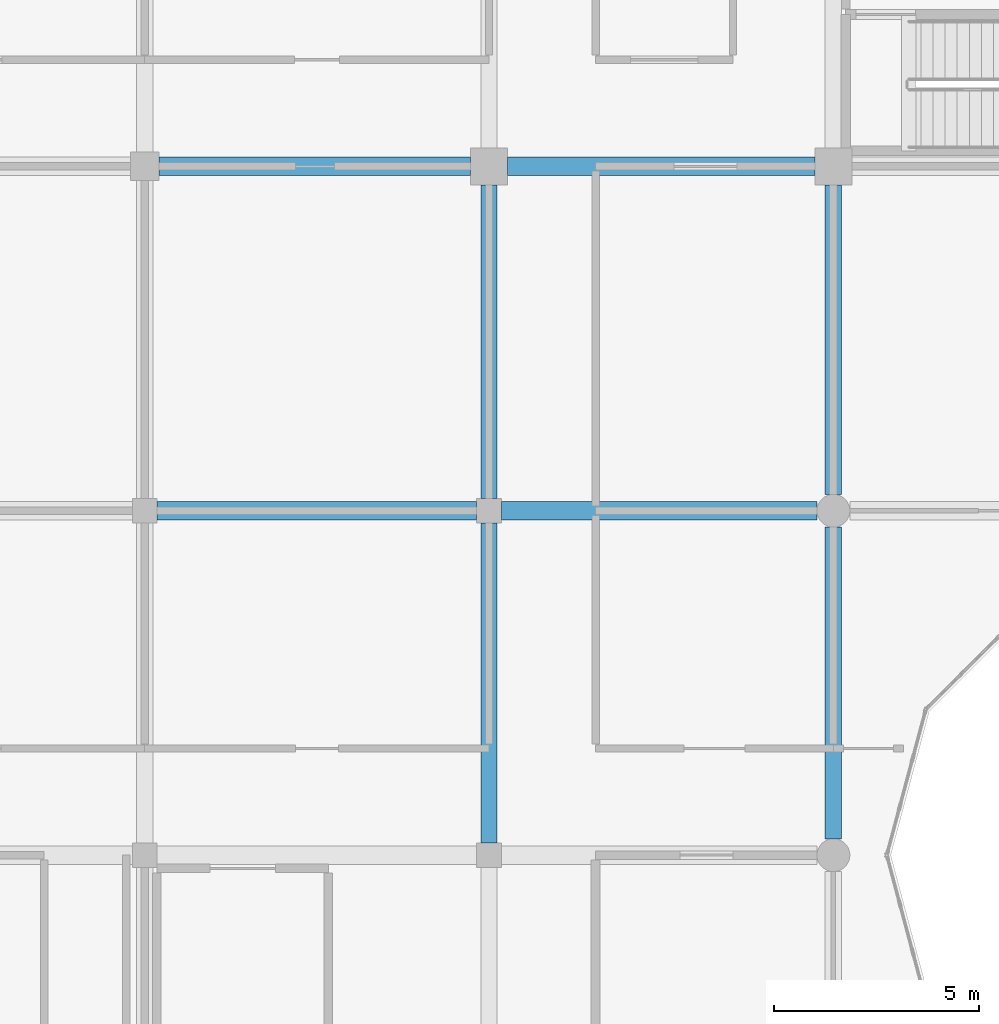
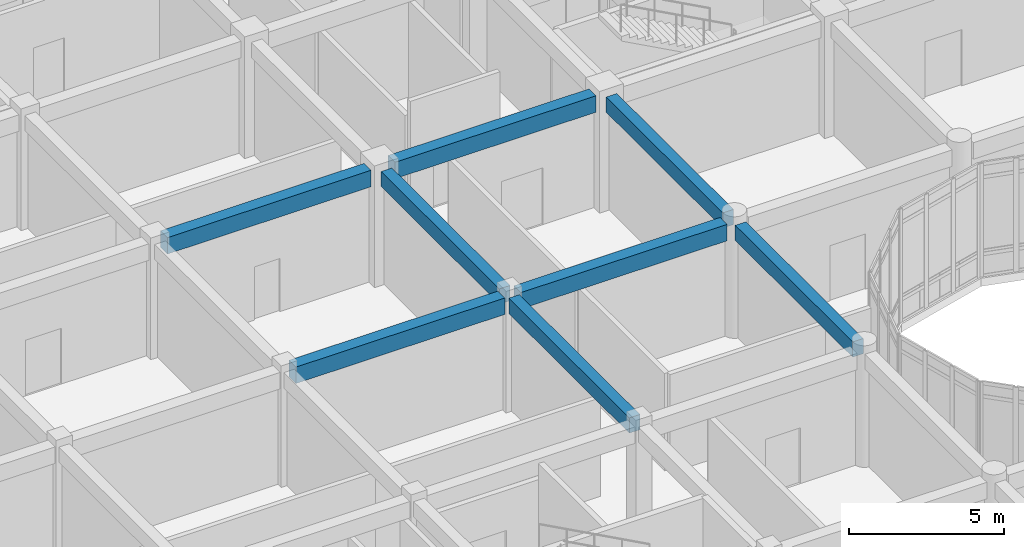
# One storey, part 38 of 138: 8 beams.
"""IFC4 building model written with IfcOpenShell, lengths in metres."""

import ifcopenshell
import ifcopenshell.guid

model = None  # the IFC model being written
_history = None  # IfcOwnerHistory: only IFC2X3 demands one
_inside = {}  # id of a spatial element -> (the spatial element, [elements in it])
_under = {}  # id of a project, library or spatial element -> (it, [spatial elements below it])
_declared = {}  # id of a project -> (the project, [libraries it declares])
_typed = {}  # id of a type object -> (the type object, [elements of that type])
_made_of = {}  # id of a material, layer set ... -> (it, [elements and type objects made of it])


def new_model(schema):
    """Start an empty IFC model of exactly this schema.

    Asked for "IFC4X3", IfcOpenShell would pick the latest addendum, in which some entities
    have other attributes; the version numbers below select the first issue.
    IFC2X3 requires an IfcOwnerHistory on every rooted entity: one is made here for all.
    """
    global model, _history
    if schema == "IFC4X3":
        model = ifcopenshell.file(schema_version=(4, 3, 0, 0))
    else:
        model = ifcopenshell.file(schema=schema)
    _inside.clear()
    _under.clear()
    _declared.clear()
    _typed.clear()
    _made_of.clear()
    _history = None
    if model.schema == "IFC2X3":
        org = make("IfcOrganization", Name="unknown")
        user = make(
            "IfcPersonAndOrganization",
            ThePerson=make("IfcPerson", FamilyName="unknown"),
            TheOrganization=org,
        )
        app = make(
            "IfcApplication",
            ApplicationDeveloper=org,
            Version="unknown",
            ApplicationFullName="unknown",
            ApplicationIdentifier="unknown",
        )
        _history = make(
            "IfcOwnerHistory",
            OwningUser=user,
            OwningApplication=app,
            ChangeAction="ADDED",
            CreationDate=0,
        )
    return model


def make(cls, **values):
    """One entity of the class cls with the attributes given. An attribute that is None is left unset."""
    return model.create_entity(
        cls, **{name: value for name, value in values.items() if value is not None}
    )


def rooted(cls, **values):
    """An entity with a GlobalId (a new one), such as an element, a storey or a relation."""
    return make(cls, GlobalId=ifcopenshell.guid.new(), OwnerHistory=_history, **values)


def si_unit(unit_type, name, prefix=None):
    """IfcSIUnit, for example si_unit("LENGTHUNIT", "METRE", prefix="MILLI")."""
    return make("IfcSIUnit", UnitType=unit_type, Prefix=prefix, Name=name)


def assignment(units):
    """IfcUnitAssignment: the units of a project."""
    return None if units is None else make("IfcUnitAssignment", Units=units)


def point(xyz):
    """IfcCartesianPoint."""
    return None if xyz is None else make("IfcCartesianPoint", Coordinates=xyz)


def direction(xyz):
    """IfcDirection."""
    return None if xyz is None else make("IfcDirection", DirectionRatios=xyz)


def frame(location, z_axis=None, x_axis=None):
    """IfcAxis2Placement3D, a coordinate frame: its origin and axes. An axis left out is left unset."""
    return make(
        "IfcAxis2Placement3D",
        Location=point(location),
        Axis=direction(z_axis),
        RefDirection=direction(x_axis),
    )


def frame_2d(location, x_axis=None):
    """IfcAxis2Placement2D, a coordinate frame in the plane: its origin and x axis."""
    return make(
        "IfcAxis2Placement2D", Location=point(location), RefDirection=direction(x_axis)
    )


def origin():
    """The frame at (0, 0, 0) with its axes left unset."""
    return frame((0.0, 0.0, 0.0))


def origin_2d():
    """The frame at (0, 0) in the plane with its x axis left unset."""
    return frame_2d((0.0, 0.0))


def place(relative_to, where):
    """IfcLocalPlacement: puts the frame where relative to a parent placement (None: the world)."""
    return make(
        "IfcLocalPlacement", PlacementRelTo=relative_to, RelativePlacement=where
    )


def context(
    kind, dimensions, precision=None, world=None, true_north=None, identifier=None
):
    """IfcGeometricRepresentationContext, for example the 3D "Model" context."""
    return make(
        "IfcGeometricRepresentationContext",
        ContextIdentifier=identifier,
        ContextType=kind,
        CoordinateSpaceDimension=dimensions,
        Precision=precision,
        WorldCoordinateSystem=world,
        TrueNorth=true_north,
    )


def subcontext(parent, identifier, kind, view, scale=None):
    """IfcGeometricRepresentationSubContext, for example "Body" below "Model"."""
    return make(
        "IfcGeometricRepresentationSubContext",
        ContextIdentifier=identifier,
        ContextType=kind,
        ParentContext=parent,
        TargetScale=scale,
        TargetView=view,
    )


def project(units=None, contexts=None):
    """IfcProject with its units and contexts."""
    return rooted(
        "IfcProject",
        Name="project",
        RepresentationContexts=contexts,
        UnitsInContext=assignment(units),
    )


def spatial(cls, under=None, at=None, **own):
    """A site, building, storey or space (cls), placed at a placement, below another one or the project."""
    s = rooted(cls, ObjectPlacement=at, **own)
    if under is not None:
        _under.setdefault(under.id(), (under, []))[1].append(s)
    return s


def profile(cls, at=None, kind="AREA", **sizes):
    """A parametric profile (cls). Its sizes go by their IFC names, for example OverallWidth=200.0."""
    return make(cls, ProfileType=kind, Position=at, **sizes)


def rectangle(**sizes):
    """IfcRectangleProfileDef."""
    return profile("IfcRectangleProfileDef", **sizes)


def extrude(swept, where, along, depth):
    """IfcExtrudedAreaSolid: the profile swept, set in the frame where, extruded along a direction by depth."""
    return make(
        "IfcExtrudedAreaSolid",
        SweptArea=swept,
        Position=where,
        ExtrudedDirection=direction(along),
        Depth=depth,
    )


def shape(context_of_items, identifier, shape_type, items):
    """IfcShapeRepresentation: the items that make up one representation, for example the "Body"."""
    return make(
        "IfcShapeRepresentation",
        ContextOfItems=context_of_items,
        RepresentationIdentifier=identifier,
        RepresentationType=shape_type,
        Items=items,
    )


def material(Name=None, Category=None):
    """IfcMaterial."""
    return make("IfcMaterial", Name=Name, Category=Category)


def material_profile(
    of_material, cross_section, Name=None, Category=None, Priority=None
):
    """IfcMaterialProfile: a cross section and its material."""
    return make(
        "IfcMaterialProfile",
        Name=Name,
        Material=of_material,
        Profile=cross_section,
        Priority=Priority,
        Category=Category,
    )


def profile_set(profiles, Name=None, composite=None):
    """IfcMaterialProfileSet."""
    return make(
        "IfcMaterialProfileSet",
        Name=Name,
        MaterialProfiles=profiles,
        CompositeProfile=composite,
    )


def made_of(thing, what):
    """Note that an element or type object is made of a material, layer set ...; save() writes the relation."""
    if what is not None:
        _made_of.setdefault(what.id(), (what, []))[1].append(thing)
    return thing


def type_object(cls, material=None, **own):
    """A type object (cls), such as IfcWallType, which elements share."""
    return made_of(rooted(cls, **own), material)


def element(
    cls,
    number,
    at=None,
    inside=None,
    cuts=None,
    type_object=None,
    material=None,
    context=None,
    identifier="Body",
    shape_type=None,
    held_by="IfcProductDefinitionShape",
    body=None,
    shapes=None,
    **own,
):
    """One element of the class cls, such as IfcWall. Its Tag is "e" and its number.

    at: its placement. inside: the storey or other place that contains it. cuts: it is an
    opening in that element (IfcRelVoidsElement). A single representation is given by context,
    identifier, shape_type and body (its items); several are given by shapes. held_by: the class
    of the entity that holds the representations. save() writes the other relations.
    """
    e = rooted(cls, Tag="e%d" % number, ObjectPlacement=at, **own)
    if body is not None:
        shapes = [shape(context, identifier, shape_type, body)]
    if shapes is not None:
        e.Representation = make(held_by, Representations=shapes)
    if inside is not None:
        _inside.setdefault(inside.id(), (inside, []))[1].append(e)
    if cuts is not None:
        rooted(
            "IfcRelVoidsElement", RelatingBuildingElement=cuts, RelatedOpeningElement=e
        )
    if type_object is not None:
        _typed.setdefault(type_object.id(), (type_object, []))[1].append(e)
    return made_of(e, material)


def aggregate(whole, parts):
    """IfcRelAggregates: a whole, such as a stair, and the parts it consists of."""
    return rooted("IfcRelAggregates", RelatingObject=whole, RelatedObjects=parts)


def save(model, path):
    """Write the relations noted so far, then the file.

    IfcRelAggregates (storeys below a building ...), IfcRelContainedInSpatialStructure (elements
    in a storey), IfcRelDefinesByType, IfcRelAssociatesMaterial and IfcRelDeclares: one each for
    every whole, place, type object, material and project.
    """
    for whole, parts in _under.values():
        aggregate(whole, parts)
    for where, things in _inside.values():
        rooted(
            "IfcRelContainedInSpatialStructure",
            RelatedElements=things,
            RelatingStructure=where,
        )
    for kind, things in _typed.values():
        rooted("IfcRelDefinesByType", RelatedObjects=things, RelatingType=kind)
    for what, things in _made_of.values():
        rooted("IfcRelAssociatesMaterial", RelatedObjects=things, RelatingMaterial=what)
    for by, libraries in _declared.values():
        rooted("IfcRelDeclares", RelatingContext=by, RelatedDefinitions=libraries)
    model.write(path)


model = new_model("IFC4")

# Units and contexts
model_context = context("Model", 3, precision=1e-05, world=origin(), true_north=direction((0.0, 1.0)))
body_context = subcontext(model_context, "Body", "Model", "MODEL_VIEW")
ifc_project = project(units=[si_unit("LENGTHUNIT", "METRE"), si_unit("AREAUNIT", "SQUARE_METRE"), si_unit("VOLUMEUNIT", "CUBIC_METRE"), si_unit("PLANEANGLEUNIT", "RADIAN"), si_unit("MASSUNIT", "GRAM", prefix="KILO")], contexts=[model_context])

# Site, building, storey
site_placement = place(None, origin())
site = spatial("IfcSite", under=ifc_project, at=site_placement, CompositionType="ELEMENT")
building_placement = place(site_placement, origin())
building = spatial("IfcBuilding", under=site, at=building_placement, Name="Bramfleet General Hospital", CompositionType="ELEMENT")
storey_placement = place(building_placement, origin())
storey = spatial("IfcBuildingStorey", under=building, at=storey_placement, Name="L00", CompositionType="ELEMENT", Elevation=0.0)

# Beams
ifc_material = material(Name="Concrete C35/45", Category="concrete")
ifc_material_profile_1 = material_profile(ifc_material, rectangle(XDim=0.39990234375, YDim=0.60009765625, at=origin_2d()), Name="RC BM 600x400")
ifc_profile_set_1 = profile_set([ifc_material_profile_1], Name="Concrete C35/45")
beam_type_1 = type_object("IfcBeamType", Name="BM-RC600", PredefinedType="BEAM", material=ifc_profile_set_1)
beam_1_placement = place(storey_placement, frame((67.199951171875, 75.89990234375, 4.199951171875), z_axis=(0.0, 1.0, 0.0), x_axis=(-1.0, 0.0, 0.0)))
element("IfcBeam", 1, at=beam_1_placement, inside=storey, type_object=beam_type_1, Name="L00 Grid Beam Y 08-09", PredefinedType="BEAM", context=body_context, shape_type="SweptSolid", body=[
    extrude(rectangle(XDim=0.39990234375, YDim=0.60009765625, at=origin_2d()), origin(), (0.0, 0.0, 1.0), 7.800048828125),
])
beam_2_placement = place(storey_placement, frame((67.199951171875, 84.300048828125, 4.199951171875), z_axis=(0.0, 1.0, 0.0), x_axis=(-1.0, 0.0, 0.0)))
element("IfcBeam", 2, at=beam_2_placement, inside=storey, type_object=beam_type_1, Name="L00 Grid Beam Y 08-10", PredefinedType="BEAM", context=body_context, shape_type="SweptSolid", body=[
    extrude(rectangle(XDim=0.39990234375, YDim=0.60009765625, at=origin_2d()), origin(), (0.0, 0.0, 1.0), 7.64990234375),
])
beam_3_placement = place(storey_placement, frame((75.60009765625, 76.0, 4.199951171875), z_axis=(0.0, 1.0, 0.0), x_axis=(-1.0, 0.0, 0.0)))
element("IfcBeam", 3, at=beam_3_placement, inside=storey, type_object=beam_type_1, Name="L00 Grid Beam Y 09-09", PredefinedType="BEAM", context=body_context, shape_type="SweptSolid", body=[
    extrude(rectangle(XDim=0.39990234375, YDim=0.60009765625, at=origin_2d()), origin(), (0.0, 0.0, 1.0), 7.60009765625),
])
beam_4_placement = place(storey_placement, frame((75.60009765625, 84.39990234375, 4.199951171875), z_axis=(0.0, 1.0, 0.0), x_axis=(-1.0, 0.0, 0.0)))
element("IfcBeam", 4, at=beam_4_placement, inside=storey, type_object=beam_type_1, Name="L00 Grid Beam Y 09-10", PredefinedType="BEAM", context=body_context, shape_type="SweptSolid", body=[
    extrude(rectangle(XDim=0.39990234375, YDim=0.60009765625, at=origin_2d()), origin(), (0.0, 0.0, 1.0), 7.550048828125),
])
ifc_material_profile_2 = material_profile(ifc_material, rectangle(XDim=0.449951171875, YDim=0.64990234375, at=origin_2d()), Name="RC BM 650x450")
ifc_profile_set_2 = profile_set([ifc_material_profile_2], Name="Concrete C35/45")
beam_type_2 = type_object("IfcBeamType", Name="BM-RC650", PredefinedType="BEAM", material=ifc_profile_set_2)
beam_5_placement = place(storey_placement, frame((59.10009765625, 84.0, 4.175048828125), z_axis=(1.0, 0.0, 0.0), x_axis=(0.0, 1.0, 0.0)))
element("IfcBeam", 5, at=beam_5_placement, inside=storey, type_object=beam_type_2, Name="L00 Grid Beam X 07-10", PredefinedType="BEAM", context=body_context, shape_type="SweptSolid", body=[
    extrude(rectangle(XDim=0.449951171875, YDim=0.64990234375, at=origin_2d()), origin(), (0.0, 0.0, 1.0), 7.7998046875),
])
beam_6_placement = place(storey_placement, frame((59.14990234375, 92.39990234375, 4.175048828125), z_axis=(1.0, 0.0, 0.0), x_axis=(0.0, 1.0, 0.0)))
element("IfcBeam", 6, at=beam_6_placement, inside=storey, type_object=beam_type_2, Name="L00 Grid Beam X 07-11", PredefinedType="BEAM", context=body_context, shape_type="SweptSolid", body=[
    extrude(rectangle(XDim=0.449951171875, YDim=0.64990234375, at=origin_2d()), origin(), (0.0, 0.0, 1.0), 7.60009765625),
])
beam_7_placement = place(storey_placement, frame((67.5, 84.0, 4.175048828125), z_axis=(1.0, 0.0, 0.0), x_axis=(0.0, 1.0, 0.0)))
element("IfcBeam", 7, at=beam_7_placement, inside=storey, type_object=beam_type_2, Name="L00 Grid Beam X 08-10", PredefinedType="BEAM", context=body_context, shape_type="SweptSolid", body=[
    extrude(rectangle(XDim=0.449951171875, YDim=0.64990234375, at=origin_2d()), origin(), (0.0, 0.0, 1.0), 7.699951171875),
])
beam_8_placement = place(storey_placement, frame((67.64990234375, 92.39990234375, 4.175048828125), z_axis=(1.0, 0.0, 0.0), x_axis=(0.0, 1.0, 0.0)))
element("IfcBeam", 8, at=beam_8_placement, inside=storey, type_object=beam_type_2, Name="L00 Grid Beam X 08-11", PredefinedType="BEAM", context=body_context, shape_type="SweptSolid", body=[
    extrude(rectangle(XDim=0.449951171875, YDim=0.64990234375, at=origin_2d()), origin(), (0.0, 0.0, 1.0), 7.5),
])

save(model, "model.ifc")
